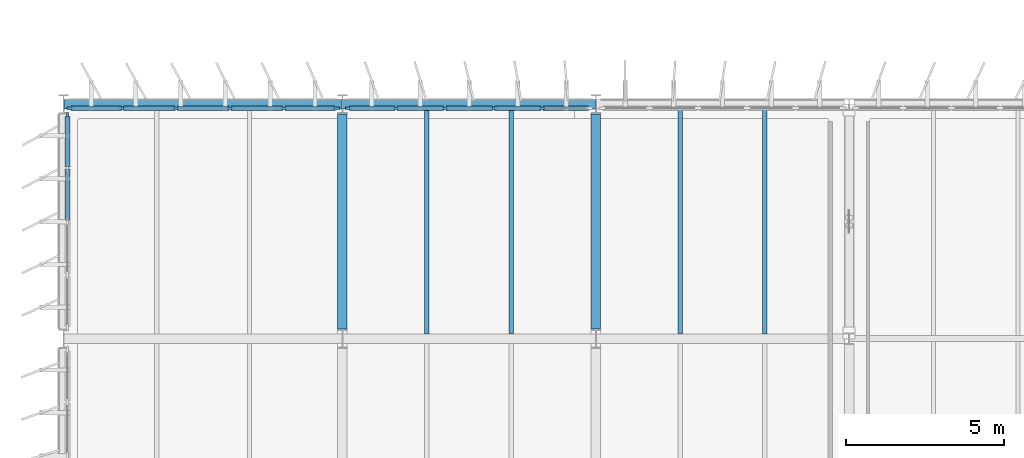
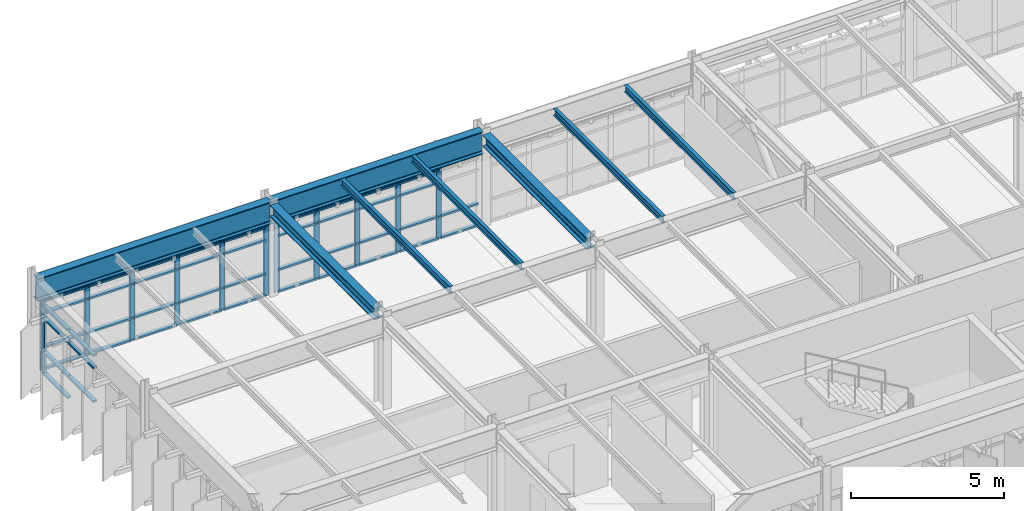
# One storey, part 9 of 45: 57 members, 8 beams, 3 elements without a shape of their own.
"""IFC4 building model written with IfcOpenShell, lengths in metres."""

from ifc_helpers import new_model, si_unit, direction, frame, origin, origin_2d, place, context, subcontext, project, spatial, rectangle, i_section, extrude, material, layer, layer_set, material_profile, profile_set, type_object, element, aggregate, save


model = new_model("IFC4")

# Units and contexts
model_context = context("Model", 3, precision=1e-05, world=origin(), true_north=direction((0.0, 1.0)))
body_context = subcontext(model_context, "Body", "Model", "MODEL_VIEW")
ifc_project = project(units=[si_unit("LENGTHUNIT", "METRE"), si_unit("AREAUNIT", "SQUARE_METRE"), si_unit("VOLUMEUNIT", "CUBIC_METRE"), si_unit("PLANEANGLEUNIT", "RADIAN"), si_unit("MASSUNIT", "GRAM", prefix="KILO")], contexts=[model_context])

# Site, building, storey
site_placement = place(None, origin())
site = spatial("IfcSite", under=ifc_project, at=site_placement, CompositionType="ELEMENT")
building_placement = place(site_placement, origin())
building = spatial("IfcBuilding", under=site, at=building_placement, Name="Valkorina Park Police Headquarters", CompositionType="ELEMENT")
storey_placement = place(building_placement, frame((0.0, 0.0, 23.300048828125)))
storey = spatial("IfcBuildingStorey", under=building, at=storey_placement, Name="L06", CompositionType="ELEMENT", Elevation=23.300048828125)

# Beams
ifc_material_1 = material(Name="Steel S355", Category="steel")
ifc_material_profile_1 = material_profile(ifc_material_1, i_section(OverallWidth=0.300048828125, OverallDepth=0.449951171875, WebThickness=0.013916015625, FlangeThickness=0.02587890625, FilletRadius=0.027099609375, at=origin_2d()), Name="HEB 450")
ifc_profile_set_1 = profile_set([ifc_material_profile_1], Name="Steel S355")
beam_type_1 = type_object("IfcBeamType", Name="BM-S355-HEB450-BM", PredefinedType="BEAM", material=ifc_profile_set_1)
for number, where, z_axis, x_axis, name in (
    (1, (8.800048828125, 52.10009765625, 3.454833984375), (0.0, 1.0, 0.0), (-1.0, 0.0, 0.0), "L06 Framing Beam 2670"),
    (2, (16.800048828125, 52.10009765625, 3.454833984375), (0.0, 1.0, 0.0), (-1.0, 0.0, 0.0), "L06 Framing Beam 2677"),
):
    element("IfcBeam", number, at=place(storey_placement, frame(where, z_axis=z_axis, x_axis=x_axis)), inside=storey, type_object=beam_type_1, Name=name, PredefinedType="BEAM", context=body_context, shape_type="SweptSolid", body=[
        extrude(i_section(OverallWidth=0.300048828125, OverallDepth=0.449951171875, WebThickness=0.013916015625, FlangeThickness=0.02587890625, FilletRadius=0.027099609375, at=origin_2d()), origin(), (0.0, 0.0, 1.0), 6.7998046875),
    ])
ifc_material_profile_2 = material_profile(ifc_material_1, i_section(OverallWidth=0.300048828125, OverallDepth=0.89990234375, WebThickness=0.0185546875, FlangeThickness=0.034912109375, FilletRadius=0.030029296875, at=origin_2d()), Name="HEB 900")
ifc_profile_set_2 = profile_set([ifc_material_profile_2], Name="Steel S355")
beam_type_2 = type_object("IfcBeamType", Name="BM-S355-HEB900-EXT", PredefinedType="SPANDREL", material=ifc_profile_set_2)
beam_1_placement = place(storey_placement, frame((0.0078125, 59.199951171875, 3.22998046875), z_axis=(1.0, 0.0, 0.0), x_axis=(0.0, 1.0, 0.0)))
element("IfcBeam", 3, at=beam_1_placement, inside=storey, type_object=beam_type_2, Name="L06 Framing Beam 2629", PredefinedType="SPANDREL", context=body_context, shape_type="SweptSolid", body=[
    extrude(i_section(OverallWidth=0.300048828125, OverallDepth=0.89990234375, WebThickness=0.0185546875, FlangeThickness=0.034912109375, FilletRadius=0.030029296875, at=origin_2d()), origin(), (0.0, 0.0, 1.0), 8.784423828125),
])
beam_2_placement = place(storey_placement, frame((8.8076171875, 59.199951171875, 3.22998046875), z_axis=(1.0, 0.0, 0.0), x_axis=(0.0, 1.0, 0.0)))
element("IfcBeam", 4, at=beam_2_placement, inside=storey, type_object=beam_type_2, Name="L06 Framing Beam 2630", PredefinedType="SPANDREL", context=body_context, shape_type="SweptSolid", body=[
    extrude(i_section(OverallWidth=0.300048828125, OverallDepth=0.89990234375, WebThickness=0.0185546875, FlangeThickness=0.034912109375, FilletRadius=0.030029296875, at=origin_2d()), origin(), (0.0, 0.0, 1.0), 7.984619140625),
])
ifc_material_profile_3 = material_profile(ifc_material_1, i_section(OverallWidth=0.135009765625, OverallDepth=0.27001953125, WebThickness=0.006591796875, FlangeThickness=0.01025390625, FilletRadius=0.014892578125, at=origin_2d()), Name="IPE 270")
ifc_profile_set_3 = profile_set([ifc_material_profile_3], Name="Steel S355")
beam_type_3 = type_object("IfcBeamType", Name="BM-S355-IPE270-JST", PredefinedType="JOIST", material=ifc_profile_set_3)
for number, where, z_axis, x_axis, name in (
    (5, (11.466796875, 51.949951171875, 3.544921875), (0.0, 1.0, 0.0), (-1.0, 0.0, 0.0), "L06 Framing Beam 2671"),
    (6, (14.13330078125, 51.949951171875, 3.544921875), (0.0, 1.0, 0.0), (-1.0, 0.0, 0.0), "L06 Framing Beam 2672"),
    (7, (19.466796875, 51.949951171875, 3.544921875), (0.0, 1.0, 0.0), (-1.0, 0.0, 0.0), "L06 Framing Beam 2678"),
    (8, (22.13330078125, 51.949951171875, 3.544921875), (0.0, 1.0, 0.0), (-1.0, 0.0, 0.0), "L06 Framing Beam 2679"),
):
    element("IfcBeam", number, at=place(storey_placement, frame(where, z_axis=z_axis, x_axis=x_axis)), inside=storey, type_object=beam_type_3, Name=name, PredefinedType="JOIST", context=body_context, shape_type="SweptSolid", body=[
        extrude(i_section(OverallWidth=0.135009765625, OverallDepth=0.27001953125, WebThickness=0.006591796875, FlangeThickness=0.01025390625, FilletRadius=0.014892578125, at=origin_2d()), origin(), (0.0, 0.0, 1.0), 7.10009765625),
    ])

# Curtain wall, member
ifc_material_2 = material(Name="Thermally broken aluminium AW-6060", Category="aluminium")
ifc_layer_1 = layer(ifc_material_2, 0.18994140625)
ifc_layer_set_1 = layer_set([ifc_layer_1], Name="Thermally broken aluminium AW-6060")
curtain_wall_type_1 = type_object("IfcCurtainWallType", Name="CW-V5-6780x2770", PredefinedType="NOTDEFINED", material=ifc_layer_set_1)
curtain_wall_1_placement = place(storey_placement, origin())
curtain_wall_1 = element("IfcCurtainWall", 9, at=curtain_wall_1_placement, inside=storey, type_object=curtain_wall_type_1, Name="L06 Unitised Curtain Wall 099", PredefinedType="NOTDEFINED")
ifc_material_profile_4 = material_profile(ifc_material_2, rectangle(XDim=0.070068359375, YDim=0.18994140625, at=origin_2d()), Name="CWM-02 70x190")
ifc_profile_set_4 = profile_set([ifc_material_profile_4], Name="Thermally broken aluminium AW-6060")
member_type_1 = type_object("IfcMemberType", Name="CWM-70x190", PredefinedType="MULLION", material=ifc_profile_set_4)
member_1_placement = place(storey_placement, frame((0.1201171875, 58.85498046875, 0.0), z_axis=(0.0, 0.0, 1.0), x_axis=(-1.0, 0.0, 0.0)))
member_1 = element("IfcMember", 10, at=member_1_placement, type_object=member_type_1, Name="CW-V5-678-277 mullion 5", PredefinedType="MULLION", context=body_context, shape_type="SweptSolid", body=[
    extrude(rectangle(XDim=0.070068359375, YDim=0.18994140625, at=origin_2d()), origin(), (0.0, 0.0, 1.0), 2.77001953125),
])

# Curtain wall, members
ifc_layer_2 = layer(ifc_material_2, 0.18994140625)
ifc_layer_set_2 = layer_set([ifc_layer_2], Name="Thermally broken aluminium AW-6060")
curtain_wall_type_2 = type_object("IfcCurtainWallType", Name="CW-V5-8480x2770", PredefinedType="NOTDEFINED", material=ifc_layer_set_2)
curtain_wall_2_placement = place(storey_placement, origin())
curtain_wall_2 = element("IfcCurtainWall", 11, at=curtain_wall_2_placement, inside=storey, type_object=curtain_wall_type_2, Name="L06 Unitised Curtain Wall 100", PredefinedType="NOTDEFINED")
member_2_placement = place(storey_placement, frame((0.195068359375, 59.080078125, 0.0), z_axis=(0.0, 0.0, 1.0), x_axis=(0.0, 1.0, 0.0)))
member_2 = element("IfcMember", 12, at=member_2_placement, type_object=member_type_1, Name="CW-V5-848-277 mullion 1", PredefinedType="MULLION", context=body_context, shape_type="SweptSolid", body=[
    extrude(rectangle(XDim=0.070068359375, YDim=0.18994140625, at=origin_2d()), origin(), (0.0, 0.0, 1.0), 2.77001953125),
])
member_3_placement = place(storey_placement, frame((1.85595703125, 59.080078125, 0.0), z_axis=(0.0, 0.0, 1.0), x_axis=(0.0, 1.0, 0.0)))
member_3 = element("IfcMember", 13, at=member_3_placement, type_object=member_type_1, Name="CW-V5-848-277 mullion 2", PredefinedType="MULLION", context=body_context, shape_type="SweptSolid", body=[
    extrude(rectangle(XDim=0.070068359375, YDim=0.18994140625, at=origin_2d()), origin(), (0.0, 0.0, 1.0), 2.77001953125),
])
member_4_placement = place(storey_placement, frame((3.552001953125, 59.080078125, 0.0), z_axis=(0.0, 0.0, 1.0), x_axis=(0.0, 1.0, 0.0)))
member_4 = element("IfcMember", 14, at=member_4_placement, type_object=member_type_1, Name="CW-V5-848-277 mullion 3", PredefinedType="MULLION", context=body_context, shape_type="SweptSolid", body=[
    extrude(rectangle(XDim=0.070068359375, YDim=0.18994140625, at=origin_2d()), origin(), (0.0, 0.0, 1.0), 2.77001953125),
])
member_5_placement = place(storey_placement, frame((5.248046875, 59.080078125, 0.0), z_axis=(0.0, 0.0, 1.0), x_axis=(0.0, 1.0, 0.0)))
member_5 = element("IfcMember", 15, at=member_5_placement, type_object=member_type_1, Name="CW-V5-848-277 mullion 4", PredefinedType="MULLION", context=body_context, shape_type="SweptSolid", body=[
    extrude(rectangle(XDim=0.070068359375, YDim=0.18994140625, at=origin_2d()), origin(), (0.0, 0.0, 1.0), 2.77001953125),
])
member_6_placement = place(storey_placement, frame((6.944091796875, 59.080078125, 0.0), z_axis=(0.0, 0.0, 1.0), x_axis=(0.0, 1.0, 0.0)))
member_6 = element("IfcMember", 16, at=member_6_placement, type_object=member_type_1, Name="CW-V5-848-277 mullion 5", PredefinedType="MULLION", context=body_context, shape_type="SweptSolid", body=[
    extrude(rectangle(XDim=0.070068359375, YDim=0.18994140625, at=origin_2d()), origin(), (0.0, 0.0, 1.0), 2.77001953125),
])
member_7_placement = place(storey_placement, frame((8.60498046875, 59.080078125, 0.0), z_axis=(0.0, 0.0, 1.0), x_axis=(0.0, 1.0, 0.0)))
member_7 = element("IfcMember", 17, at=member_7_placement, type_object=member_type_1, Name="CW-V5-848-277 mullion 6", PredefinedType="MULLION", context=body_context, shape_type="SweptSolid", body=[
    extrude(rectangle(XDim=0.070068359375, YDim=0.18994140625, at=origin_2d()), origin(), (0.0, 0.0, 1.0), 2.77001953125),
])

ifc_layer_3 = layer(ifc_material_2, 0.18994140625)
ifc_layer_set_3 = layer_set([ifc_layer_3], Name="Thermally broken aluminium AW-6060")
curtain_wall_type_3 = type_object("IfcCurtainWallType", Name="CW-V5-7680x2770", PredefinedType="NOTDEFINED", material=ifc_layer_set_3)
curtain_wall_3_placement = place(storey_placement, origin())
curtain_wall_3 = element("IfcCurtainWall", 18, at=curtain_wall_3_placement, inside=storey, type_object=curtain_wall_type_3, Name="L06 Unitised Curtain Wall 101", PredefinedType="NOTDEFINED")
member_8_placement = place(storey_placement, frame((8.9951171875, 59.080078125, 0.0), z_axis=(0.0, 0.0, 1.0), x_axis=(0.0, 1.0, 0.0)))
member_8 = element("IfcMember", 19, at=member_8_placement, type_object=member_type_1, Name="CW-V5-768-277 mullion 1", PredefinedType="MULLION", context=body_context, shape_type="SweptSolid", body=[
    extrude(rectangle(XDim=0.070068359375, YDim=0.18994140625, at=origin_2d()), origin(), (0.0, 0.0, 1.0), 2.77001953125),
])
member_9_placement = place(storey_placement, frame((10.49609375, 59.080078125, 0.0), z_axis=(0.0, 0.0, 1.0), x_axis=(0.0, 1.0, 0.0)))
member_9 = element("IfcMember", 20, at=member_9_placement, type_object=member_type_1, Name="CW-V5-768-277 mullion 2", PredefinedType="MULLION", context=body_context, shape_type="SweptSolid", body=[
    extrude(rectangle(XDim=0.070068359375, YDim=0.18994140625, at=origin_2d()), origin(), (0.0, 0.0, 1.0), 2.77001953125),
])
member_10_placement = place(storey_placement, frame((12.031982421875, 59.080078125, 0.0), z_axis=(0.0, 0.0, 1.0), x_axis=(0.0, 1.0, 0.0)))
member_10 = element("IfcMember", 21, at=member_10_placement, type_object=member_type_1, Name="CW-V5-768-277 mullion 3", PredefinedType="MULLION", context=body_context, shape_type="SweptSolid", body=[
    extrude(rectangle(XDim=0.070068359375, YDim=0.18994140625, at=origin_2d()), origin(), (0.0, 0.0, 1.0), 2.77001953125),
])
member_11_placement = place(storey_placement, frame((13.568115234375, 59.080078125, 0.0), z_axis=(0.0, 0.0, 1.0), x_axis=(0.0, 1.0, 0.0)))
member_11 = element("IfcMember", 22, at=member_11_placement, type_object=member_type_1, Name="CW-V5-768-277 mullion 4", PredefinedType="MULLION", context=body_context, shape_type="SweptSolid", body=[
    extrude(rectangle(XDim=0.070068359375, YDim=0.18994140625, at=origin_2d()), origin(), (0.0, 0.0, 1.0), 2.77001953125),
])
member_12_placement = place(storey_placement, frame((15.10400390625, 59.080078125, 0.0), z_axis=(0.0, 0.0, 1.0), x_axis=(0.0, 1.0, 0.0)))
member_12 = element("IfcMember", 23, at=member_12_placement, type_object=member_type_1, Name="CW-V5-768-277 mullion 5", PredefinedType="MULLION", context=body_context, shape_type="SweptSolid", body=[
    extrude(rectangle(XDim=0.070068359375, YDim=0.18994140625, at=origin_2d()), origin(), (0.0, 0.0, 1.0), 2.77001953125),
])

# Member
ifc_material_profile_5 = material_profile(ifc_material_2, rectangle(XDim=0.14990234375, YDim=0.070068359375, at=origin_2d()), Name="CWT-02 150x70")
ifc_profile_set_5 = profile_set([ifc_material_profile_5], Name="Thermally broken aluminium AW-6060")
member_type_2 = type_object("IfcMemberType", Name="CWT-150x70", PredefinedType="USERDEFINED", material=ifc_profile_set_5)
member_13_placement = place(storey_placement, frame((0.1201171875, 55.534912109375, 0.89990234375), z_axis=(0.0, 1.0, 0.0), x_axis=(-1.0, 0.0, 0.0)))
member_13 = element("IfcMember", 24, at=member_13_placement, type_object=member_type_2, Name="CW-V5-678-277 transom 3.2", ObjectType="TRANSOM", PredefinedType="USERDEFINED", context=body_context, shape_type="SweptSolid", body=[
    extrude(rectangle(XDim=0.14990234375, YDim=0.070068359375, at=origin_2d()), origin(), (0.0, 0.0, 1.0), 1.625),
])

member_14_placement = place(storey_placement, frame((0.1201171875, 55.534912109375, 2.25), z_axis=(0.0, 1.0, 0.0), x_axis=(-1.0, 0.0, 0.0)))
member_14 = element("IfcMember", 25, at=member_14_placement, type_object=member_type_2, Name="CW-V5-678-277 transom 3.3", ObjectType="TRANSOM", PredefinedType="USERDEFINED", context=body_context, shape_type="SweptSolid", body=[
    extrude(rectangle(XDim=0.14990234375, YDim=0.070068359375, at=origin_2d()), origin(), (0.0, 0.0, 1.0), 1.625),
])

member_15_placement = place(storey_placement, frame((0.1201171875, 55.534912109375, 2.73486328125), z_axis=(0.0, 1.0, 0.0), x_axis=(-1.0, 0.0, 0.0)))
member_15 = element("IfcMember", 26, at=member_15_placement, type_object=member_type_2, Name="CW-V5-678-277 transom 3.4", ObjectType="TRANSOM", PredefinedType="USERDEFINED", context=body_context, shape_type="SweptSolid", body=[
    extrude(rectangle(XDim=0.14990234375, YDim=0.070068359375, at=origin_2d()), origin(), (0.0, 0.0, 1.0), 1.625),
])

member_16_placement = place(storey_placement, frame((0.1201171875, 57.22998046875, 0.034912109375), z_axis=(0.0, 1.0, 0.0), x_axis=(-1.0, 0.0, 0.0)))
member_16 = element("IfcMember", 27, at=member_16_placement, type_object=member_type_2, Name="CW-V5-678-277 transom 4.1", ObjectType="TRANSOM", PredefinedType="USERDEFINED", context=body_context, shape_type="SweptSolid", body=[
    extrude(rectangle(XDim=0.14990234375, YDim=0.070068359375, at=origin_2d()), origin(), (0.0, 0.0, 1.0), 1.590087890625),
])

member_17_placement = place(storey_placement, frame((0.1201171875, 57.22998046875, 0.89990234375), z_axis=(0.0, 1.0, 0.0), x_axis=(-1.0, 0.0, 0.0)))
member_17 = element("IfcMember", 28, at=member_17_placement, type_object=member_type_2, Name="CW-V5-678-277 transom 4.2", ObjectType="TRANSOM", PredefinedType="USERDEFINED", context=body_context, shape_type="SweptSolid", body=[
    extrude(rectangle(XDim=0.14990234375, YDim=0.070068359375, at=origin_2d()), origin(), (0.0, 0.0, 1.0), 1.590087890625),
])

member_18_placement = place(storey_placement, frame((0.1201171875, 57.22998046875, 2.25), z_axis=(0.0, 1.0, 0.0), x_axis=(-1.0, 0.0, 0.0)))
member_18 = element("IfcMember", 29, at=member_18_placement, type_object=member_type_2, Name="CW-V5-678-277 transom 4.3", ObjectType="TRANSOM", PredefinedType="USERDEFINED", context=body_context, shape_type="SweptSolid", body=[
    extrude(rectangle(XDim=0.14990234375, YDim=0.070068359375, at=origin_2d()), origin(), (0.0, 0.0, 1.0), 1.590087890625),
])

member_19_placement = place(storey_placement, frame((0.1201171875, 57.22998046875, 2.73486328125), z_axis=(0.0, 1.0, 0.0), x_axis=(-1.0, 0.0, 0.0)))
member_19 = element("IfcMember", 30, at=member_19_placement, type_object=member_type_2, Name="CW-V5-678-277 transom 4.4", ObjectType="TRANSOM", PredefinedType="USERDEFINED", context=body_context, shape_type="SweptSolid", body=[
    extrude(rectangle(XDim=0.14990234375, YDim=0.070068359375, at=origin_2d()), origin(), (0.0, 0.0, 1.0), 1.590087890625),
])

aggregate(curtain_wall_1, [member_1, member_13, member_14, member_15, member_16, member_17, member_18, member_19])

member_20_placement = place(storey_placement, frame((0.22998046875, 59.080078125, 0.034912109375), z_axis=(1.0, 0.0, 0.0), x_axis=(0.0, 1.0, 0.0)))
member_20 = element("IfcMember", 31, at=member_20_placement, type_object=member_type_2, Name="CW-V5-848-277 transom 1.1", ObjectType="TRANSOM", PredefinedType="USERDEFINED", context=body_context, shape_type="SweptSolid", body=[
    extrude(rectangle(XDim=0.14990234375, YDim=0.070068359375, at=origin_2d()), origin(), (0.0, 0.0, 1.0), 1.591064453125),
])

member_21_placement = place(storey_placement, frame((0.22998046875, 59.080078125, 0.89990234375), z_axis=(1.0, 0.0, 0.0), x_axis=(0.0, 1.0, 0.0)))
member_21 = element("IfcMember", 32, at=member_21_placement, type_object=member_type_2, Name="CW-V5-848-277 transom 1.2", ObjectType="TRANSOM", PredefinedType="USERDEFINED", context=body_context, shape_type="SweptSolid", body=[
    extrude(rectangle(XDim=0.14990234375, YDim=0.070068359375, at=origin_2d()), origin(), (0.0, 0.0, 1.0), 1.591064453125),
])

member_22_placement = place(storey_placement, frame((0.22998046875, 59.080078125, 2.25), z_axis=(1.0, 0.0, 0.0), x_axis=(0.0, 1.0, 0.0)))
member_22 = element("IfcMember", 33, at=member_22_placement, type_object=member_type_2, Name="CW-V5-848-277 transom 1.3", ObjectType="TRANSOM", PredefinedType="USERDEFINED", context=body_context, shape_type="SweptSolid", body=[
    extrude(rectangle(XDim=0.14990234375, YDim=0.070068359375, at=origin_2d()), origin(), (0.0, 0.0, 1.0), 1.591064453125),
])

member_23_placement = place(storey_placement, frame((0.22998046875, 59.080078125, 2.73486328125), z_axis=(1.0, 0.0, 0.0), x_axis=(0.0, 1.0, 0.0)))
member_23 = element("IfcMember", 34, at=member_23_placement, type_object=member_type_2, Name="CW-V5-848-277 transom 1.4", ObjectType="TRANSOM", PredefinedType="USERDEFINED", context=body_context, shape_type="SweptSolid", body=[
    extrude(rectangle(XDim=0.14990234375, YDim=0.070068359375, at=origin_2d()), origin(), (0.0, 0.0, 1.0), 1.591064453125),
])

member_24_placement = place(storey_placement, frame((1.89111328125, 59.080078125, 0.034912109375), z_axis=(1.0, 0.0, 0.0), x_axis=(0.0, 1.0, 0.0)))
member_24 = element("IfcMember", 35, at=member_24_placement, type_object=member_type_2, Name="CW-V5-848-277 transom 2.1", ObjectType="TRANSOM", PredefinedType="USERDEFINED", context=body_context, shape_type="SweptSolid", body=[
    extrude(rectangle(XDim=0.14990234375, YDim=0.070068359375, at=origin_2d()), origin(), (0.0, 0.0, 1.0), 1.6259765625),
])

member_25_placement = place(storey_placement, frame((1.89111328125, 59.080078125, 0.89990234375), z_axis=(1.0, 0.0, 0.0), x_axis=(0.0, 1.0, 0.0)))
member_25 = element("IfcMember", 36, at=member_25_placement, type_object=member_type_2, Name="CW-V5-848-277 transom 2.2", ObjectType="TRANSOM", PredefinedType="USERDEFINED", context=body_context, shape_type="SweptSolid", body=[
    extrude(rectangle(XDim=0.14990234375, YDim=0.070068359375, at=origin_2d()), origin(), (0.0, 0.0, 1.0), 1.6259765625),
])

member_26_placement = place(storey_placement, frame((1.89111328125, 59.080078125, 2.25), z_axis=(1.0, 0.0, 0.0), x_axis=(0.0, 1.0, 0.0)))
member_26 = element("IfcMember", 37, at=member_26_placement, type_object=member_type_2, Name="CW-V5-848-277 transom 2.3", ObjectType="TRANSOM", PredefinedType="USERDEFINED", context=body_context, shape_type="SweptSolid", body=[
    extrude(rectangle(XDim=0.14990234375, YDim=0.070068359375, at=origin_2d()), origin(), (0.0, 0.0, 1.0), 1.6259765625),
])

member_27_placement = place(storey_placement, frame((1.89111328125, 59.080078125, 2.73486328125), z_axis=(1.0, 0.0, 0.0), x_axis=(0.0, 1.0, 0.0)))
member_27 = element("IfcMember", 38, at=member_27_placement, type_object=member_type_2, Name="CW-V5-848-277 transom 2.4", ObjectType="TRANSOM", PredefinedType="USERDEFINED", context=body_context, shape_type="SweptSolid", body=[
    extrude(rectangle(XDim=0.14990234375, YDim=0.070068359375, at=origin_2d()), origin(), (0.0, 0.0, 1.0), 1.6259765625),
])

member_28_placement = place(storey_placement, frame((3.5869140625, 59.080078125, 0.034912109375), z_axis=(1.0, 0.0, 0.0), x_axis=(0.0, 1.0, 0.0)))
member_28 = element("IfcMember", 39, at=member_28_placement, type_object=member_type_2, Name="CW-V5-848-277 transom 3.1", ObjectType="TRANSOM", PredefinedType="USERDEFINED", context=body_context, shape_type="SweptSolid", body=[
    extrude(rectangle(XDim=0.14990234375, YDim=0.070068359375, at=origin_2d()), origin(), (0.0, 0.0, 1.0), 1.6259765625),
])

member_29_placement = place(storey_placement, frame((3.5869140625, 59.080078125, 0.89990234375), z_axis=(1.0, 0.0, 0.0), x_axis=(0.0, 1.0, 0.0)))
member_29 = element("IfcMember", 40, at=member_29_placement, type_object=member_type_2, Name="CW-V5-848-277 transom 3.2", ObjectType="TRANSOM", PredefinedType="USERDEFINED", context=body_context, shape_type="SweptSolid", body=[
    extrude(rectangle(XDim=0.14990234375, YDim=0.070068359375, at=origin_2d()), origin(), (0.0, 0.0, 1.0), 1.6259765625),
])

member_30_placement = place(storey_placement, frame((3.5869140625, 59.080078125, 2.25), z_axis=(1.0, 0.0, 0.0), x_axis=(0.0, 1.0, 0.0)))
member_30 = element("IfcMember", 41, at=member_30_placement, type_object=member_type_2, Name="CW-V5-848-277 transom 3.3", ObjectType="TRANSOM", PredefinedType="USERDEFINED", context=body_context, shape_type="SweptSolid", body=[
    extrude(rectangle(XDim=0.14990234375, YDim=0.070068359375, at=origin_2d()), origin(), (0.0, 0.0, 1.0), 1.6259765625),
])

member_31_placement = place(storey_placement, frame((3.5869140625, 59.080078125, 2.73486328125), z_axis=(1.0, 0.0, 0.0), x_axis=(0.0, 1.0, 0.0)))
member_31 = element("IfcMember", 42, at=member_31_placement, type_object=member_type_2, Name="CW-V5-848-277 transom 3.4", ObjectType="TRANSOM", PredefinedType="USERDEFINED", context=body_context, shape_type="SweptSolid", body=[
    extrude(rectangle(XDim=0.14990234375, YDim=0.070068359375, at=origin_2d()), origin(), (0.0, 0.0, 1.0), 1.6259765625),
])

member_32_placement = place(storey_placement, frame((5.282958984375, 59.080078125, 0.034912109375), z_axis=(1.0, 0.0, 0.0), x_axis=(0.0, 1.0, 0.0)))
member_32 = element("IfcMember", 43, at=member_32_placement, type_object=member_type_2, Name="CW-V5-848-277 transom 4.1", ObjectType="TRANSOM", PredefinedType="USERDEFINED", context=body_context, shape_type="SweptSolid", body=[
    extrude(rectangle(XDim=0.14990234375, YDim=0.070068359375, at=origin_2d()), origin(), (0.0, 0.0, 1.0), 1.6259765625),
])

member_33_placement = place(storey_placement, frame((5.282958984375, 59.080078125, 0.89990234375), z_axis=(1.0, 0.0, 0.0), x_axis=(0.0, 1.0, 0.0)))
member_33 = element("IfcMember", 44, at=member_33_placement, type_object=member_type_2, Name="CW-V5-848-277 transom 4.2", ObjectType="TRANSOM", PredefinedType="USERDEFINED", context=body_context, shape_type="SweptSolid", body=[
    extrude(rectangle(XDim=0.14990234375, YDim=0.070068359375, at=origin_2d()), origin(), (0.0, 0.0, 1.0), 1.6259765625),
])

member_34_placement = place(storey_placement, frame((5.282958984375, 59.080078125, 2.25), z_axis=(1.0, 0.0, 0.0), x_axis=(0.0, 1.0, 0.0)))
member_34 = element("IfcMember", 45, at=member_34_placement, type_object=member_type_2, Name="CW-V5-848-277 transom 4.3", ObjectType="TRANSOM", PredefinedType="USERDEFINED", context=body_context, shape_type="SweptSolid", body=[
    extrude(rectangle(XDim=0.14990234375, YDim=0.070068359375, at=origin_2d()), origin(), (0.0, 0.0, 1.0), 1.6259765625),
])

member_35_placement = place(storey_placement, frame((5.282958984375, 59.080078125, 2.73486328125), z_axis=(1.0, 0.0, 0.0), x_axis=(0.0, 1.0, 0.0)))
member_35 = element("IfcMember", 46, at=member_35_placement, type_object=member_type_2, Name="CW-V5-848-277 transom 4.4", ObjectType="TRANSOM", PredefinedType="USERDEFINED", context=body_context, shape_type="SweptSolid", body=[
    extrude(rectangle(XDim=0.14990234375, YDim=0.070068359375, at=origin_2d()), origin(), (0.0, 0.0, 1.0), 1.6259765625),
])

member_36_placement = place(storey_placement, frame((6.97900390625, 59.080078125, 0.034912109375), z_axis=(1.0, 0.0, 0.0), x_axis=(0.0, 1.0, 0.0)))
member_36 = element("IfcMember", 47, at=member_36_placement, type_object=member_type_2, Name="CW-V5-848-277 transom 5.1", ObjectType="TRANSOM", PredefinedType="USERDEFINED", context=body_context, shape_type="SweptSolid", body=[
    extrude(rectangle(XDim=0.14990234375, YDim=0.070068359375, at=origin_2d()), origin(), (0.0, 0.0, 1.0), 1.591064453125),
])

member_37_placement = place(storey_placement, frame((6.97900390625, 59.080078125, 0.89990234375), z_axis=(1.0, 0.0, 0.0), x_axis=(0.0, 1.0, 0.0)))
member_37 = element("IfcMember", 48, at=member_37_placement, type_object=member_type_2, Name="CW-V5-848-277 transom 5.2", ObjectType="TRANSOM", PredefinedType="USERDEFINED", context=body_context, shape_type="SweptSolid", body=[
    extrude(rectangle(XDim=0.14990234375, YDim=0.070068359375, at=origin_2d()), origin(), (0.0, 0.0, 1.0), 1.591064453125),
])

member_38_placement = place(storey_placement, frame((6.97900390625, 59.080078125, 2.25), z_axis=(1.0, 0.0, 0.0), x_axis=(0.0, 1.0, 0.0)))
member_38 = element("IfcMember", 49, at=member_38_placement, type_object=member_type_2, Name="CW-V5-848-277 transom 5.3", ObjectType="TRANSOM", PredefinedType="USERDEFINED", context=body_context, shape_type="SweptSolid", body=[
    extrude(rectangle(XDim=0.14990234375, YDim=0.070068359375, at=origin_2d()), origin(), (0.0, 0.0, 1.0), 1.591064453125),
])

member_39_placement = place(storey_placement, frame((6.97900390625, 59.080078125, 2.73486328125), z_axis=(1.0, 0.0, 0.0), x_axis=(0.0, 1.0, 0.0)))
member_39 = element("IfcMember", 50, at=member_39_placement, type_object=member_type_2, Name="CW-V5-848-277 transom 5.4", ObjectType="TRANSOM", PredefinedType="USERDEFINED", context=body_context, shape_type="SweptSolid", body=[
    extrude(rectangle(XDim=0.14990234375, YDim=0.070068359375, at=origin_2d()), origin(), (0.0, 0.0, 1.0), 1.591064453125),
])

aggregate(curtain_wall_2, [member_2, member_3, member_4, member_5, member_6, member_7, member_20, member_21, member_22, member_23, member_24, member_25, member_26, member_27, member_28, member_29, member_30, member_31, member_32, member_33, member_34, member_35, member_36, member_37, member_38, member_39])

member_40_placement = place(storey_placement, frame((9.030029296875, 59.080078125, 0.034912109375), z_axis=(1.0, 0.0, 0.0), x_axis=(0.0, 1.0, 0.0)))
member_40 = element("IfcMember", 51, at=member_40_placement, type_object=member_type_2, Name="CW-V5-768-277 transom 1.1", ObjectType="TRANSOM", PredefinedType="USERDEFINED", context=body_context, shape_type="SweptSolid", body=[
    extrude(rectangle(XDim=0.14990234375, YDim=0.070068359375, at=origin_2d()), origin(), (0.0, 0.0, 1.0), 1.430908203125),
])

member_41_placement = place(storey_placement, frame((9.030029296875, 59.080078125, 0.89990234375), z_axis=(1.0, 0.0, 0.0), x_axis=(0.0, 1.0, 0.0)))
member_41 = element("IfcMember", 52, at=member_41_placement, type_object=member_type_2, Name="CW-V5-768-277 transom 1.2", ObjectType="TRANSOM", PredefinedType="USERDEFINED", context=body_context, shape_type="SweptSolid", body=[
    extrude(rectangle(XDim=0.14990234375, YDim=0.070068359375, at=origin_2d()), origin(), (0.0, 0.0, 1.0), 1.430908203125),
])

member_42_placement = place(storey_placement, frame((9.030029296875, 59.080078125, 2.25), z_axis=(1.0, 0.0, 0.0), x_axis=(0.0, 1.0, 0.0)))
member_42 = element("IfcMember", 53, at=member_42_placement, type_object=member_type_2, Name="CW-V5-768-277 transom 1.3", ObjectType="TRANSOM", PredefinedType="USERDEFINED", context=body_context, shape_type="SweptSolid", body=[
    extrude(rectangle(XDim=0.14990234375, YDim=0.070068359375, at=origin_2d()), origin(), (0.0, 0.0, 1.0), 1.430908203125),
])

member_43_placement = place(storey_placement, frame((9.030029296875, 59.080078125, 2.73486328125), z_axis=(1.0, 0.0, 0.0), x_axis=(0.0, 1.0, 0.0)))
member_43 = element("IfcMember", 54, at=member_43_placement, type_object=member_type_2, Name="CW-V5-768-277 transom 1.4", ObjectType="TRANSOM", PredefinedType="USERDEFINED", context=body_context, shape_type="SweptSolid", body=[
    extrude(rectangle(XDim=0.14990234375, YDim=0.070068359375, at=origin_2d()), origin(), (0.0, 0.0, 1.0), 1.430908203125),
])

member_44_placement = place(storey_placement, frame((10.531005859375, 59.080078125, 0.034912109375), z_axis=(1.0, 0.0, 0.0), x_axis=(0.0, 1.0, 0.0)))
member_44 = element("IfcMember", 55, at=member_44_placement, type_object=member_type_2, Name="CW-V5-768-277 transom 2.1", ObjectType="TRANSOM", PredefinedType="USERDEFINED", context=body_context, shape_type="SweptSolid", body=[
    extrude(rectangle(XDim=0.14990234375, YDim=0.070068359375, at=origin_2d()), origin(), (0.0, 0.0, 1.0), 1.466064453125),
])

member_45_placement = place(storey_placement, frame((10.531005859375, 59.080078125, 0.89990234375), z_axis=(1.0, 0.0, 0.0), x_axis=(0.0, 1.0, 0.0)))
member_45 = element("IfcMember", 56, at=member_45_placement, type_object=member_type_2, Name="CW-V5-768-277 transom 2.2", ObjectType="TRANSOM", PredefinedType="USERDEFINED", context=body_context, shape_type="SweptSolid", body=[
    extrude(rectangle(XDim=0.14990234375, YDim=0.070068359375, at=origin_2d()), origin(), (0.0, 0.0, 1.0), 1.466064453125),
])

member_46_placement = place(storey_placement, frame((10.531005859375, 59.080078125, 2.25), z_axis=(1.0, 0.0, 0.0), x_axis=(0.0, 1.0, 0.0)))
member_46 = element("IfcMember", 57, at=member_46_placement, type_object=member_type_2, Name="CW-V5-768-277 transom 2.3", ObjectType="TRANSOM", PredefinedType="USERDEFINED", context=body_context, shape_type="SweptSolid", body=[
    extrude(rectangle(XDim=0.14990234375, YDim=0.070068359375, at=origin_2d()), origin(), (0.0, 0.0, 1.0), 1.466064453125),
])

member_47_placement = place(storey_placement, frame((10.531005859375, 59.080078125, 2.73486328125), z_axis=(1.0, 0.0, 0.0), x_axis=(0.0, 1.0, 0.0)))
member_47 = element("IfcMember", 58, at=member_47_placement, type_object=member_type_2, Name="CW-V5-768-277 transom 2.4", ObjectType="TRANSOM", PredefinedType="USERDEFINED", context=body_context, shape_type="SweptSolid", body=[
    extrude(rectangle(XDim=0.14990234375, YDim=0.070068359375, at=origin_2d()), origin(), (0.0, 0.0, 1.0), 1.466064453125),
])

member_48_placement = place(storey_placement, frame((12.06689453125, 59.080078125, 0.034912109375), z_axis=(1.0, 0.0, 0.0), x_axis=(0.0, 1.0, 0.0)))
member_48 = element("IfcMember", 59, at=member_48_placement, type_object=member_type_2, Name="CW-V5-768-277 transom 3.1", ObjectType="TRANSOM", PredefinedType="USERDEFINED", context=body_context, shape_type="SweptSolid", body=[
    extrude(rectangle(XDim=0.14990234375, YDim=0.070068359375, at=origin_2d()), origin(), (0.0, 0.0, 1.0), 1.466064453125),
])

member_49_placement = place(storey_placement, frame((12.06689453125, 59.080078125, 0.89990234375), z_axis=(1.0, 0.0, 0.0), x_axis=(0.0, 1.0, 0.0)))
member_49 = element("IfcMember", 60, at=member_49_placement, type_object=member_type_2, Name="CW-V5-768-277 transom 3.2", ObjectType="TRANSOM", PredefinedType="USERDEFINED", context=body_context, shape_type="SweptSolid", body=[
    extrude(rectangle(XDim=0.14990234375, YDim=0.070068359375, at=origin_2d()), origin(), (0.0, 0.0, 1.0), 1.466064453125),
])

member_50_placement = place(storey_placement, frame((12.06689453125, 59.080078125, 2.25), z_axis=(1.0, 0.0, 0.0), x_axis=(0.0, 1.0, 0.0)))
member_50 = element("IfcMember", 61, at=member_50_placement, type_object=member_type_2, Name="CW-V5-768-277 transom 3.3", ObjectType="TRANSOM", PredefinedType="USERDEFINED", context=body_context, shape_type="SweptSolid", body=[
    extrude(rectangle(XDim=0.14990234375, YDim=0.070068359375, at=origin_2d()), origin(), (0.0, 0.0, 1.0), 1.466064453125),
])

member_51_placement = place(storey_placement, frame((12.06689453125, 59.080078125, 2.73486328125), z_axis=(1.0, 0.0, 0.0), x_axis=(0.0, 1.0, 0.0)))
member_51 = element("IfcMember", 62, at=member_51_placement, type_object=member_type_2, Name="CW-V5-768-277 transom 3.4", ObjectType="TRANSOM", PredefinedType="USERDEFINED", context=body_context, shape_type="SweptSolid", body=[
    extrude(rectangle(XDim=0.14990234375, YDim=0.070068359375, at=origin_2d()), origin(), (0.0, 0.0, 1.0), 1.466064453125),
])

member_52_placement = place(storey_placement, frame((13.60302734375, 59.080078125, 0.034912109375), z_axis=(1.0, 0.0, 0.0), x_axis=(0.0, 1.0, 0.0)))
member_52 = element("IfcMember", 63, at=member_52_placement, type_object=member_type_2, Name="CW-V5-768-277 transom 4.1", ObjectType="TRANSOM", PredefinedType="USERDEFINED", context=body_context, shape_type="SweptSolid", body=[
    extrude(rectangle(XDim=0.14990234375, YDim=0.070068359375, at=origin_2d()), origin(), (0.0, 0.0, 1.0), 1.466064453125),
])

member_53_placement = place(storey_placement, frame((13.60302734375, 59.080078125, 0.89990234375), z_axis=(1.0, 0.0, 0.0), x_axis=(0.0, 1.0, 0.0)))
member_53 = element("IfcMember", 64, at=member_53_placement, type_object=member_type_2, Name="CW-V5-768-277 transom 4.2", ObjectType="TRANSOM", PredefinedType="USERDEFINED", context=body_context, shape_type="SweptSolid", body=[
    extrude(rectangle(XDim=0.14990234375, YDim=0.070068359375, at=origin_2d()), origin(), (0.0, 0.0, 1.0), 1.466064453125),
])

member_54_placement = place(storey_placement, frame((13.60302734375, 59.080078125, 2.25), z_axis=(1.0, 0.0, 0.0), x_axis=(0.0, 1.0, 0.0)))
member_54 = element("IfcMember", 65, at=member_54_placement, type_object=member_type_2, Name="CW-V5-768-277 transom 4.3", ObjectType="TRANSOM", PredefinedType="USERDEFINED", context=body_context, shape_type="SweptSolid", body=[
    extrude(rectangle(XDim=0.14990234375, YDim=0.070068359375, at=origin_2d()), origin(), (0.0, 0.0, 1.0), 1.466064453125),
])

member_55_placement = place(storey_placement, frame((13.60302734375, 59.080078125, 2.73486328125), z_axis=(1.0, 0.0, 0.0), x_axis=(0.0, 1.0, 0.0)))
member_55 = element("IfcMember", 66, at=member_55_placement, type_object=member_type_2, Name="CW-V5-768-277 transom 4.4", ObjectType="TRANSOM", PredefinedType="USERDEFINED", context=body_context, shape_type="SweptSolid", body=[
    extrude(rectangle(XDim=0.14990234375, YDim=0.070068359375, at=origin_2d()), origin(), (0.0, 0.0, 1.0), 1.466064453125),
])

member_56_placement = place(storey_placement, frame((15.138916015625, 59.080078125, 0.034912109375), z_axis=(1.0, 0.0, 0.0), x_axis=(0.0, 1.0, 0.0)))
member_56 = element("IfcMember", 67, at=member_56_placement, type_object=member_type_2, Name="CW-V5-768-277 transom 5.1", ObjectType="TRANSOM", PredefinedType="USERDEFINED", context=body_context, shape_type="SweptSolid", body=[
    extrude(rectangle(XDim=0.14990234375, YDim=0.070068359375, at=origin_2d()), origin(), (0.0, 0.0, 1.0), 1.43115234375),
])

member_57_placement = place(storey_placement, frame((15.138916015625, 59.080078125, 0.89990234375), z_axis=(1.0, 0.0, 0.0), x_axis=(0.0, 1.0, 0.0)))
member_57 = element("IfcMember", 68, at=member_57_placement, type_object=member_type_2, Name="CW-V5-768-277 transom 5.2", ObjectType="TRANSOM", PredefinedType="USERDEFINED", context=body_context, shape_type="SweptSolid", body=[
    extrude(rectangle(XDim=0.14990234375, YDim=0.070068359375, at=origin_2d()), origin(), (0.0, 0.0, 1.0), 1.43115234375),
])

aggregate(curtain_wall_3, [member_8, member_9, member_10, member_11, member_12, member_40, member_41, member_42, member_43, member_44, member_45, member_46, member_47, member_48, member_49, member_50, member_51, member_52, member_53, member_54, member_55, member_56, member_57])

save(model, "model.ifc")
